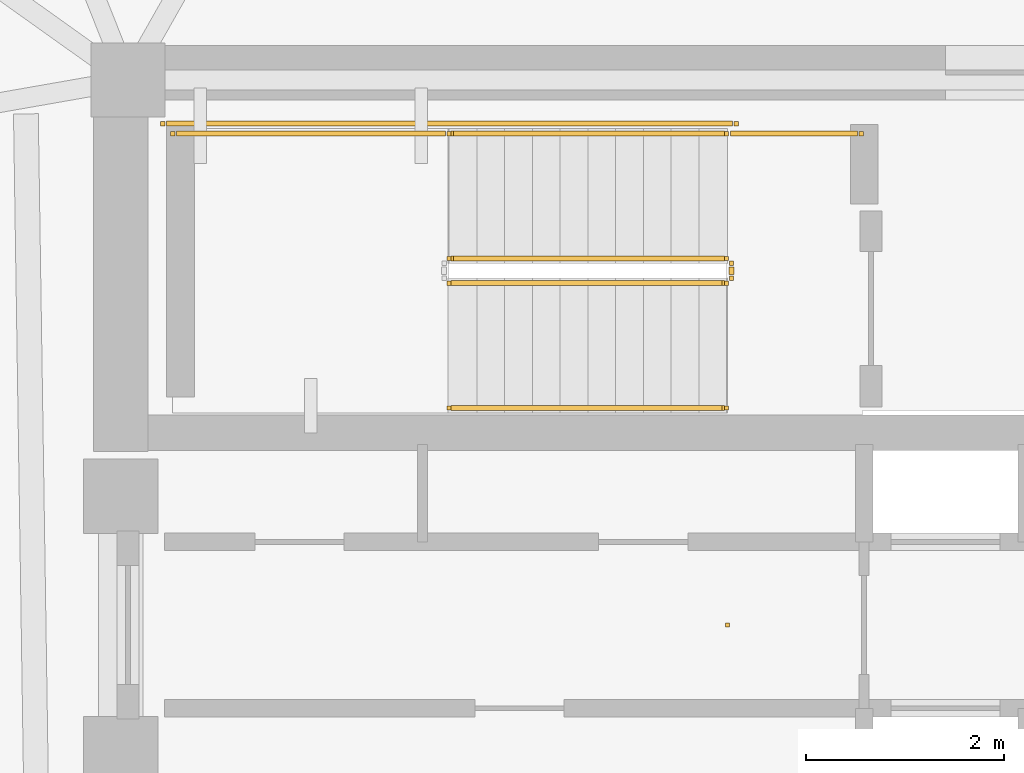
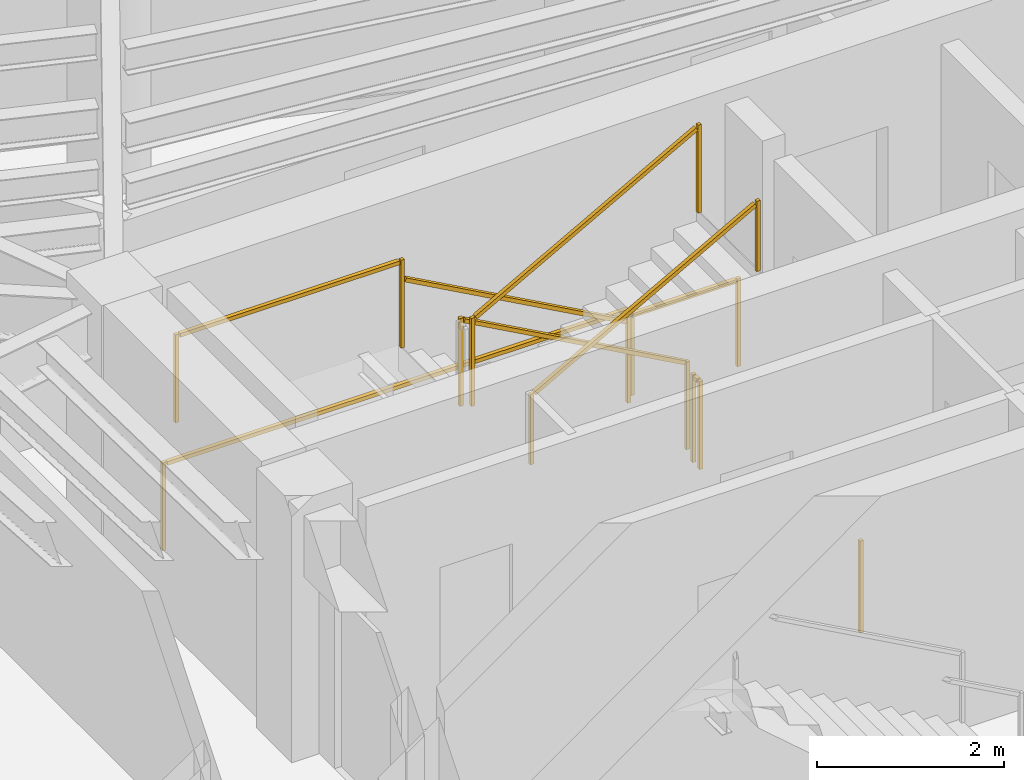
# One storey, part 8 of 9: 9 railings.
"""IFC4 building model written with IfcOpenShell, lengths in metres."""

from ifc_helpers import new_model, si_unit, direction, frame, origin, origin_2d, place, context, subcontext, project, spatial, rectangle, extrude, material, type_object, element, save


model = new_model("IFC4")

# Units and contexts
model_context = context("Model", 3, precision=1e-05, world=origin(), true_north=direction((0.0, 1.0)))
body_context = subcontext(model_context, "Body", "Model", "MODEL_VIEW")
ifc_project = project(units=[si_unit("LENGTHUNIT", "METRE"), si_unit("AREAUNIT", "SQUARE_METRE"), si_unit("VOLUMEUNIT", "CUBIC_METRE"), si_unit("PLANEANGLEUNIT", "RADIAN"), si_unit("MASSUNIT", "GRAM", prefix="KILO")], contexts=[model_context])

# Site, building, storey
site_placement = place(None, origin())
site = spatial("IfcSite", under=ifc_project, at=site_placement, CompositionType="ELEMENT")
building_placement = place(site_placement, origin())
building = spatial("IfcBuilding", under=site, at=building_placement, Name="Yunling Apex Tower", CompositionType="ELEMENT")
storey_placement = place(building_placement, frame((0.0, 0.0, 281.35009765625)))
storey = spatial("IfcBuildingStorey", under=building, at=storey_placement, Name="L69", CompositionType="ELEMENT", Elevation=281.35009765625)

# Railings
ifc_material_1 = material(Name="Bronze anodised aluminium", Category="aluminium")
railing_type_1 = type_object("IfcRailingType", Name="RL-BAL-1200", PredefinedType="BALUSTRADE", material=ifc_material_1)
railing_1_placement = place(storey_placement, origin())
element("IfcRailing", 1, at=railing_1_placement, inside=storey, type_object=railing_type_1, Name="RL-TATR-L69", PredefinedType="BALUSTRADE", context=body_context, shape_type="SweptSolid", body=[
    extrude(rectangle(XDim=0.0439453125, YDim=0.0439453125, at=origin_2d()), origin(), (0.0, 0.0, 1.0), 1.199951171875),
])
ifc_material_2 = material(Name="Steel Q355B", Category="steel")
railing_type_2 = type_object("IfcRailingType", Name="RL-GRD-1150", PredefinedType="GUARDRAIL", material=ifc_material_2)
railing_2_placement = place(storey_placement, frame((-0.010009765625, 3.699951171875, 0.154541015625)))
element("IfcRailing", 2, at=railing_2_placement, inside=storey, type_object=railing_type_2, Name="L69 ST-1 stair guard 1", PredefinedType="GUARDRAIL", context=body_context, shape_type="SweptSolid", body=[
    extrude(rectangle(XDim=0.0439453125, YDim=0.0439453125, at=origin_2d()), origin(), (0.0, 0.0, 1.0), 1.14990234375),
    extrude(rectangle(XDim=0.0439453125, YDim=0.0439453125, at=origin_2d()), frame((-2.800048828125, 0.0, 1.54541015625)), (0.0, 0.0, 1.0), 1.14990234375),
    extrude(rectangle(XDim=0.050048828125, YDim=0.050048828125, at=origin_2d()), frame((-0.033447265625, 0.0, 1.143310546875), z_axis=(-0.875504190374, 0.0, 0.483210526207), x_axis=(0.0, -1.0, 0.0)), (0.0, 0.0, 1.0), 3.12158203125),
])
railing_3_placement = place(storey_placement, frame((-2.81005859375, 4.9599609375, 1.699951171875)))
element("IfcRailing", 3, at=railing_3_placement, inside=storey, type_object=railing_type_2, Name="L69 ST-1 stair guard 3", PredefinedType="GUARDRAIL", context=body_context, shape_type="SweptSolid", body=[
    extrude(rectangle(XDim=0.0439453125, YDim=0.0439453125, at=origin_2d()), origin(), (0.0, 0.0, 1.0), 1.14990234375),
    extrude(rectangle(XDim=0.0439453125, YDim=0.0439453125, at=origin_2d()), frame((-2.7900390625, 0.0, 0.0)), (0.0, 0.0, 1.0), 1.14990234375),
    extrude(rectangle(XDim=0.050048828125, YDim=0.050048828125, at=origin_2d()), frame((-0.038330078125, 0.0, 1.125), z_axis=(-1.0, 0.0, 0.0), x_axis=(0.0, -1.0, 0.0)), (0.0, 0.0, 1.0), 2.71337890625),
])
railing_4_placement = place(storey_placement, frame((-2.81005859375, 3.449951171875, 1.8544921875)))
element("IfcRailing", 4, at=railing_4_placement, inside=storey, type_object=railing_type_2, Name="L69 ST-1 stair guard 4", PredefinedType="GUARDRAIL", context=body_context, shape_type="SweptSolid", body=[
    extrude(rectangle(XDim=0.0439453125, YDim=0.0439453125, at=origin_2d()), origin(), (0.0, 0.0, 1.0), 1.14990234375),
    extrude(rectangle(XDim=0.0439453125, YDim=0.0439453125, at=origin_2d()), frame((2.800048828125, 0.0, 1.54541015625)), (0.0, 0.0, 1.0), 1.14990234375),
    extrude(rectangle(XDim=0.050048828125, YDim=0.050048828125, at=origin_2d()), frame((0.033447265625, 0.0, 1.143310546875), z_axis=(0.875504190374, 0.0, 0.483210526207), x_axis=(0.0, 1.0, 0.0)), (0.0, 0.0, 1.0), 3.12158203125),
])
railing_5_placement = place(storey_placement, frame((0.0400390625, 3.64990234375, 0.0)))
element("IfcRailing", 5, at=railing_5_placement, inside=storey, type_object=railing_type_2, Name="L69 ST-1 stair guard 5", PredefinedType="GUARDRAIL", context=body_context, shape_type="SweptSolid", body=[
    extrude(rectangle(XDim=0.0439453125, YDim=0.0439453125, at=origin_2d()), origin(), (0.0, 0.0, 1.0), 1.14990234375),
    extrude(rectangle(XDim=0.0439453125, YDim=0.0439453125, at=origin_2d()), frame((0.0, -0.14990234375, 0.0)), (0.0, 0.0, 1.0), 1.14990234375),
    extrude(rectangle(XDim=0.050048828125, YDim=0.050048828125, at=origin_2d()), frame((0.0, -0.038330078125, 1.125), z_axis=(0.0, -1.0, 0.0), x_axis=(1.0, 0.0, 0.0)), (0.0, 0.0, 1.0), 0.0732421875),
])
railing_6_placement = place(storey_placement, frame((1.35009765625, 4.9599609375, 0.0)))
element("IfcRailing", 6, at=railing_6_placement, inside=storey, type_object=railing_type_2, Name="L69 ST-1 stair guard 6", PredefinedType="GUARDRAIL", context=body_context, shape_type="SweptSolid", body=[
    extrude(rectangle(XDim=0.0439453125, YDim=0.0439453125, at=origin_2d()), origin(), (0.0, 0.0, 1.0), 1.14990234375),
    extrude(rectangle(XDim=0.0439453125, YDim=0.0439453125, at=origin_2d()), frame((-1.360107421875, 0.0, 0.0)), (0.0, 0.0, 1.0), 1.14990234375),
    extrude(rectangle(XDim=0.050048828125, YDim=0.050048828125, at=origin_2d()), frame((-0.038330078125, 0.0, 1.125), z_axis=(-1.0, 0.0, 0.0), x_axis=(0.0, -1.0, 0.0)), (0.0, 0.0, 1.0), 1.283447265625),
])
railing_7_placement = place(storey_placement, frame((0.090087890625, 5.06005859375, 0.0)))
element("IfcRailing", 7, at=railing_7_placement, inside=storey, type_object=railing_type_2, Name="L69 ST-1 stair guard 7", PredefinedType="GUARDRAIL", context=body_context, shape_type="SweptSolid", body=[
    extrude(rectangle(XDim=0.0439453125, YDim=0.0439453125, at=origin_2d()), origin(), (0.0, 0.0, 1.0), 1.14990234375),
    extrude(rectangle(XDim=0.0439453125, YDim=0.0439453125, at=origin_2d()), frame((-5.7900390625, 0.0, 0.0)), (0.0, 0.0, 1.0), 1.14990234375),
    extrude(rectangle(XDim=0.050048828125, YDim=0.050048828125, at=origin_2d()), frame((-0.038330078125, 0.0, 1.125), z_axis=(-1.0, 0.0, 0.0), x_axis=(0.0, -1.0, 0.0)), (0.0, 0.0, 1.0), 5.71337890625),
])
ifc_material_3 = material(Name="Silver anodised aluminium", Category="aluminium")
railing_type_3 = type_object("IfcRailingType", Name="RL-HND-900", PredefinedType="HANDRAIL", material=ifc_material_3)
railing_8_placement = place(storey_placement, frame((-0.010009765625, 4.9599609375, 0.154541015625)))
element("IfcRailing", 8, at=railing_8_placement, inside=storey, type_object=railing_type_3, Name="L69 ST-1 stair handrail 1", PredefinedType="HANDRAIL", context=body_context, shape_type="SweptSolid", body=[
    extrude(rectangle(XDim=0.0439453125, YDim=0.0439453125, at=origin_2d()), origin(), (0.0, 0.0, 1.0), 0.919921875),
    extrude(rectangle(XDim=0.0439453125, YDim=0.0439453125, at=origin_2d()), frame((-2.800048828125, 0.0, 1.54541015625)), (0.0, 0.0, 1.0), 0.919921875),
    extrude(rectangle(XDim=0.050048828125, YDim=0.050048828125, at=origin_2d()), frame((-0.033447265625, 0.0, 0.913330078125), z_axis=(-0.875504190374, 0.0, 0.483210526207), x_axis=(0.0, -1.0, 0.0)), (0.0, 0.0, 1.0), 3.12158203125),
])
railing_9_placement = place(storey_placement, frame((-2.81005859375, 2.18994140625, 1.8544921875)))
element("IfcRailing", 9, at=railing_9_placement, inside=storey, type_object=railing_type_3, Name="L69 ST-1 stair handrail 2", PredefinedType="HANDRAIL", context=body_context, shape_type="SweptSolid", body=[
    extrude(rectangle(XDim=0.0439453125, YDim=0.0439453125, at=origin_2d()), origin(), (0.0, 0.0, 1.0), 0.919921875),
    extrude(rectangle(XDim=0.0439453125, YDim=0.0439453125, at=origin_2d()), frame((2.800048828125, 0.0, 1.54541015625)), (0.0, 0.0, 1.0), 0.919921875),
    extrude(rectangle(XDim=0.050048828125, YDim=0.050048828125, at=origin_2d()), frame((0.033447265625, 0.0, 0.913330078125), z_axis=(0.875504190374, 0.0, 0.483210526207), x_axis=(0.0, 1.0, 0.0)), (0.0, 0.0, 1.0), 3.12158203125),
])

save(model, "model.ifc")
